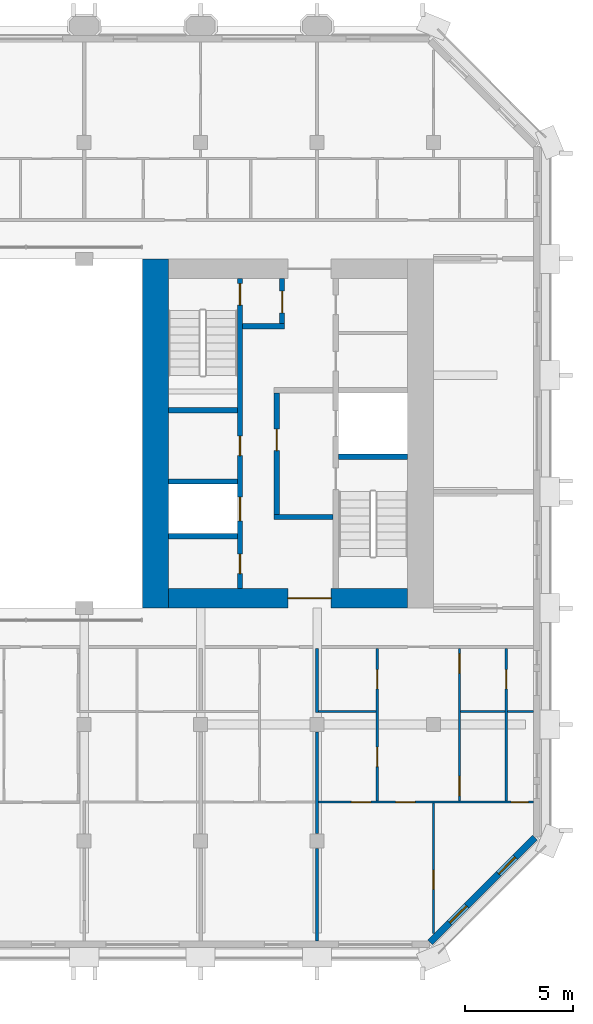
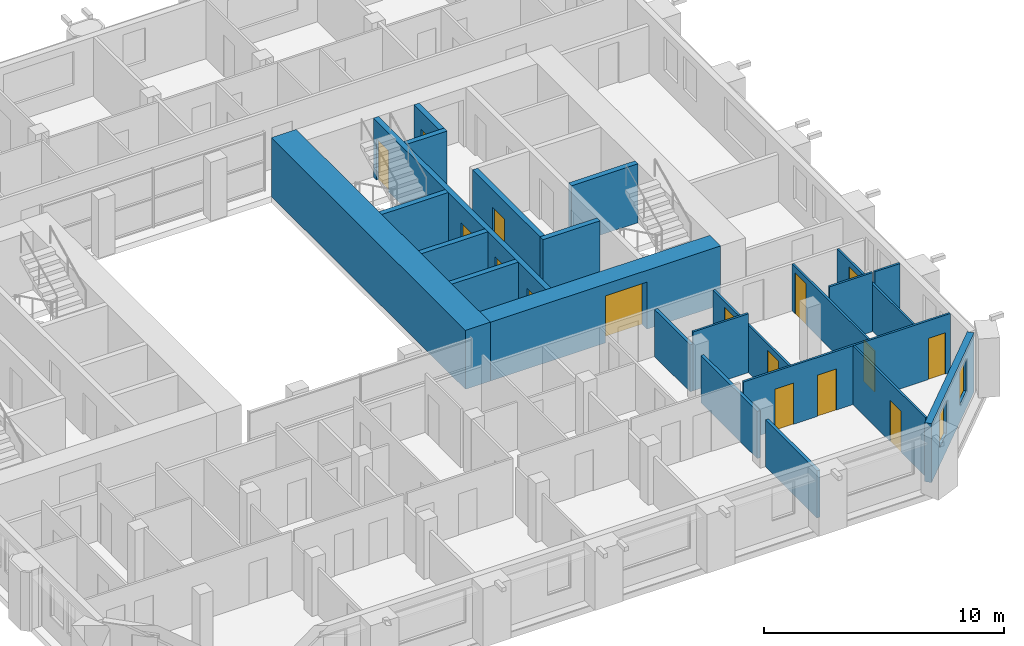
# One storey, part 8 of 14: 23 walls, 16 doors, 2 windows, 18 openings.
"""IFC4 building model written with IfcOpenShell, lengths in metres."""

from ifc_helpers import new_model, si_unit, direction, frame, frame_2d, origin, place, context, subcontext, project, spatial, rectangle, extrude, material, layer, layer_set, type_object, element, fill, save


model = new_model("IFC4")

# Units and contexts
model_context = context("Model", 3, precision=1e-05, world=origin(), true_north=direction((0.0, 1.0)))
body_context = subcontext(model_context, "Body", "Model", "MODEL_VIEW")
ifc_project = project(units=[si_unit("LENGTHUNIT", "METRE"), si_unit("AREAUNIT", "SQUARE_METRE"), si_unit("VOLUMEUNIT", "CUBIC_METRE"), si_unit("PLANEANGLEUNIT", "RADIAN"), si_unit("MASSUNIT", "GRAM", prefix="KILO")], contexts=[model_context])

# Site, building, storey
site_placement = place(None, origin())
site = spatial("IfcSite", under=ifc_project, at=site_placement, CompositionType="ELEMENT")
building_placement = place(site_placement, origin())
building = spatial("IfcBuilding", under=site, at=building_placement, Name="Tabaq Tower and Sports Hall", CompositionType="ELEMENT")
storey_placement = place(building_placement, frame((0.0, 0.0, 275.199951171875)))
storey = spatial("IfcBuildingStorey", under=building, at=storey_placement, Name="L67", CompositionType="ELEMENT", Elevation=275.199951171875)

# Wall
ifc_material_1 = material(Name="Concrete C40/50", Category="concrete")
ifc_layer_1 = layer(ifc_material_1, 1.199951171875)
ifc_layer_set_1 = layer_set([ifc_layer_1], Name="Core wall 1200 Concrete C40/50")
wall_type_1 = type_object("IfcWallType", Name="Core wall 1200 Concrete C40/50", PredefinedType="SOLIDWALL", material=ifc_layer_set_1)
wall_1_placement = place(storey_placement, frame((30.300048828125, 16.199951171875, 0.0), z_axis=(0.0, 0.0, 1.0), x_axis=(0.0, 1.0, 0.0)))
element("IfcWall", 1, at=wall_1_placement, inside=storey, type_object=wall_type_1, Name="Core wall E L67", PredefinedType="SOLIDWALL", context=body_context, shape_type="SweptSolid", body=[
    extrude(rectangle(XDim=16.199951171875, YDim=1.199951171875, at=frame_2d((8.10009765625, 0.0))), origin(), (0.0, 0.0, 1.0), 3.0),
])

# Wall, opening, door
ifc_material_2 = material(Name="Concrete C40/50", Category="concrete")
ifc_layer_2 = layer(ifc_material_2, 0.89990234375)
ifc_layer_set_2 = layer_set([ifc_layer_2], Name="Core wall 900 Concrete C40/50")
wall_type_2 = type_object("IfcWallType", Name="Core wall 900 Concrete C40/50", PredefinedType="SOLIDWALL", material=ifc_layer_set_2)
wall_2_placement = place(storey_placement, frame((42.0, 16.64990234375, 0.0), z_axis=(0.0, 0.0, 1.0), x_axis=(-1.0, 0.0, 0.0)))
wall_2 = element("IfcWall", 2, at=wall_2_placement, inside=storey, type_object=wall_type_2, Name="Core wall E L67", PredefinedType="SOLIDWALL", context=body_context, shape_type="SweptSolid", body=[
    extrude(rectangle(XDim=11.10009765625, YDim=0.89990234375, at=frame_2d((5.550048828125, 0.0))), origin(), (0.0, 0.0, 1.0), 3.0),
])
opening_1_placement = place(wall_2_placement, frame((3.550048828125, 0.0, 0.0)))
opening_1 = element("IfcOpeningElement", 3, at=opening_1_placement, cuts=wall_2, Name="Opening PD-EL67-01", PredefinedType="OPENING", context=body_context, shape_type="SweptSolid", body=[
    extrude(rectangle(XDim=2.0, YDim=2.39990234375, at=frame_2d((1.0, 1.199951171875))), frame((0.0, 0.449951171875, 0.0), z_axis=(0.0, -1.0, 0.0), x_axis=(1.0, 0.0, 0.0)), (0.0, 0.0, 1.0), 0.89990234375),
])
ifc_material_3 = material(Name="Steel fire door", Category="steel")
door_type_1 = type_object("IfcDoorType", Name="Core entrance door 2000", OperationType="DOUBLE_DOOR_SINGLE_SWING", PredefinedType="DOOR", material=ifc_material_3)
door_1_placement = place(opening_1_placement, origin())
door_1 = element("IfcDoor", 4, at=door_1_placement, inside=storey, type_object=door_type_1, Name="Core entrance south E L67", OperationType="DOUBLE_DOOR_SINGLE_SWING", OverallHeight=2.39990234375, OverallWidth=2.0, PredefinedType="DOOR", context=body_context, shape_type="SweptSolid", body=[
    extrude(rectangle(XDim=2.0, YDim=2.39990234375, at=frame_2d((1.0, 1.199951171875))), frame((0.0, 0.02490234375, 0.0), z_axis=(0.0, -1.0, 0.0), x_axis=(1.0, 0.0, 0.0)), (0.0, 0.0, 1.0), 0.050048828125),
])
fill(opening_1, door_1)

ifc_material_4 = material(Name="Gypsum board on steel studs", Category="steel")
ifc_layer_3 = layer(ifc_material_4, 0.10009765625)
ifc_layer_set_3 = layer_set([ifc_layer_3], Name="Partition 100 Gypsum board")
wall_type_3 = type_object("IfcWallType", Name="Partition 100 Gypsum board", PredefinedType="PARTITIONING", material=ifc_layer_set_3)
wall_3_placement = place(storey_placement, frame((43.199951171875, 1.112060546875, 0.0), z_axis=(0.0, 0.0, 1.0), x_axis=(0.0, 1.0, 0.0)))
wall_3 = element("IfcWall", 5, at=wall_3_placement, inside=storey, type_object=wall_type_3, Name="Partition wall L67", PredefinedType="PARTITIONING", context=body_context, shape_type="SweptSolid", body=[
    extrude(rectangle(XDim=6.037841796875, YDim=0.10009765625, at=frame_2d((3.01904296875, 0.0))), origin(), (0.0, 0.0, 1.0), 3.0),
])
opening_2_placement = place(wall_3_placement, frame((2.037841796875, 0.0, 0.0)))
opening_2 = element("IfcOpeningElement", 6, at=opening_2_placement, cuts=wall_3, Name="Opening L67-047", PredefinedType="OPENING", context=body_context, shape_type="SweptSolid", body=[
    extrude(rectangle(XDim=0.89990234375, YDim=2.10009765625, at=frame_2d((0.449951171875, 1.050048828125))), frame((0.0, 0.050048828125, 0.0), z_axis=(0.0, -1.0, 0.0), x_axis=(1.0, 0.0, 0.0)), (0.0, 0.0, 1.0), 0.10009765625),
])
ifc_material_5 = material(Name="Timber leaf in steel frame", Category="steel")
door_type_2 = type_object("IfcDoorType", Name="Internal door 900 left hand", OperationType="SINGLE_SWING_LEFT", PredefinedType="DOOR", material=ifc_material_5)
door_2_placement = place(opening_2_placement, origin())
door_2 = element("IfcDoor", 7, at=door_2_placement, inside=storey, type_object=door_type_2, Name="Internal door L67-047", OperationType="SINGLE_SWING_LEFT", OverallHeight=2.10009765625, OverallWidth=0.89990234375, PredefinedType="DOOR", context=body_context, shape_type="SweptSolid", body=[
    extrude(rectangle(XDim=0.89990234375, YDim=2.10009765625, at=frame_2d((0.449951171875, 1.050048828125))), frame((0.0, 0.02490234375, 0.0), z_axis=(0.0, -1.0, 0.0), x_axis=(1.0, 0.0, 0.0)), (0.0, 0.0, 1.0), 0.050048828125),
])
fill(opening_2, door_2)

# Wall, openings, doors
wall_4_placement = place(storey_placement, frame((47.84912109375, 7.199951171875, 0.0), z_axis=(0.0, 0.0, 1.0), x_axis=(-1.0, 0.0, 0.0)))
wall_4 = element("IfcWall", 8, at=wall_4_placement, inside=storey, type_object=wall_type_3, Name="Partition wall L67", PredefinedType="PARTITIONING", context=body_context, shape_type="SweptSolid", body=[
    extrude(rectangle(XDim=9.97412109375, YDim=0.10009765625, at=frame_2d((4.987060546875, 0.0))), origin(), (0.0, 0.0, 1.0), 3.0),
])
opening_3_placement = place(wall_4_placement, frame((7.554931640625, 0.0, 0.0)))
opening_3 = element("IfcOpeningElement", 9, at=opening_3_placement, cuts=wall_4, Name="Opening L67-048", PredefinedType="OPENING", context=body_context, shape_type="SweptSolid", body=[
    extrude(rectangle(XDim=0.89990234375, YDim=2.10009765625, at=frame_2d((0.449951171875, 1.050048828125))), frame((0.0, 0.050048828125, 0.0), z_axis=(0.0, -1.0, 0.0), x_axis=(1.0, 0.0, 0.0)), (0.0, 0.0, 1.0), 0.10009765625),
])
opening_4_placement = place(wall_4_placement, frame((5.501953125, 0.0, 0.0)))
opening_4 = element("IfcOpeningElement", 10, at=opening_4_placement, cuts=wall_4, Name="Opening L67-056", PredefinedType="OPENING", context=body_context, shape_type="SweptSolid", body=[
    extrude(rectangle(XDim=0.89990234375, YDim=2.10009765625, at=frame_2d((0.449951171875, 1.050048828125))), frame((0.0, 0.050048828125, 0.0), z_axis=(0.0, -1.0, 0.0), x_axis=(1.0, 0.0, 0.0)), (0.0, 0.0, 1.0), 0.10009765625),
])
opening_5_placement = place(wall_4_placement, frame((0.25, 0.0, 0.0)))
opening_5 = element("IfcOpeningElement", 11, at=opening_5_placement, cuts=wall_4, Name="Opening L67-066", PredefinedType="OPENING", context=body_context, shape_type="SweptSolid", body=[
    extrude(rectangle(XDim=0.800048828125, YDim=2.10009765625, at=frame_2d((0.39990234375, 1.050048828125))), frame((0.0, 0.050048828125, 0.0), z_axis=(0.0, -1.0, 0.0), x_axis=(1.0, 0.0, 0.0)), (0.0, 0.0, 1.0), 0.10009765625),
])
ifc_material_6 = material(Name="Timber leaf in steel frame", Category="steel")
door_type_3 = type_object("IfcDoorType", Name="Internal door 800 left hand", OperationType="SINGLE_SWING_LEFT", PredefinedType="DOOR", material=ifc_material_6)
door_3_placement = place(opening_5_placement, origin())
door_3 = element("IfcDoor", 12, at=door_3_placement, inside=storey, type_object=door_type_3, Name="Internal door L67-066", OperationType="SINGLE_SWING_LEFT", OverallHeight=2.10009765625, OverallWidth=0.800048828125, PredefinedType="DOOR", context=body_context, shape_type="SweptSolid", body=[
    extrude(rectangle(XDim=0.800048828125, YDim=2.10009765625, at=frame_2d((0.39990234375, 1.050048828125))), frame((0.0, 0.02490234375, 0.0), z_axis=(0.0, -1.0, 0.0), x_axis=(1.0, 0.0, 0.0)), (0.0, 0.0, 1.0), 0.050048828125),
])
fill(opening_5, door_3)
door_4_placement = place(opening_4_placement, origin())
door_4 = element("IfcDoor", 13, at=door_4_placement, inside=storey, type_object=door_type_2, Name="Internal door L67-056", OperationType="SINGLE_SWING_LEFT", OverallHeight=2.10009765625, OverallWidth=0.89990234375, PredefinedType="DOOR", context=body_context, shape_type="SweptSolid", body=[
    extrude(rectangle(XDim=0.89990234375, YDim=2.10009765625, at=frame_2d((0.449951171875, 1.050048828125))), frame((0.0, 0.02490234375, 0.0), z_axis=(0.0, -1.0, 0.0), x_axis=(1.0, 0.0, 0.0)), (0.0, 0.0, 1.0), 0.050048828125),
])
fill(opening_4, door_4)
ifc_material_7 = material(Name="Timber leaf in steel frame", Category="steel")
door_type_4 = type_object("IfcDoorType", Name="Internal door 900 right hand", OperationType="SINGLE_SWING_RIGHT", PredefinedType="DOOR", material=ifc_material_7)
door_5_placement = place(opening_3_placement, origin())
door_5 = element("IfcDoor", 14, at=door_5_placement, inside=storey, type_object=door_type_4, Name="Internal door L67-048", OperationType="SINGLE_SWING_RIGHT", OverallHeight=2.10009765625, OverallWidth=0.89990234375, PredefinedType="DOOR", context=body_context, shape_type="SweptSolid", body=[
    extrude(rectangle(XDim=0.89990234375, YDim=2.10009765625, at=frame_2d((0.449951171875, 1.050048828125))), frame((0.0, 0.02490234375, 0.0), z_axis=(0.0, -1.0, 0.0), x_axis=(1.0, 0.0, 0.0)), (0.0, 0.0, 1.0), 0.050048828125),
])
fill(opening_3, door_5)

# Wall
wall_5_placement = place(storey_placement, frame((40.5439453125, 11.39990234375, 0.0), z_axis=(0.0, 0.0, 1.0), x_axis=(-1.0, 0.0, 0.0)))
element("IfcWall", 15, at=wall_5_placement, inside=storey, type_object=wall_type_3, Name="Partition wall L67", PredefinedType="PARTITIONING", context=body_context, shape_type="SweptSolid", body=[
    extrude(rectangle(XDim=2.6689453125, YDim=0.10009765625, at=frame_2d((1.33447265625, 0.0))), origin(), (0.0, 0.0, 1.0), 3.0),
])

# Wall, openings, doors
wall_6_placement = place(storey_placement, frame((40.593994140625, 7.25, 0.0), z_axis=(0.0, 0.0, 1.0), x_axis=(0.0, 1.0, 0.0)))
wall_6 = element("IfcWall", 16, at=wall_6_placement, inside=storey, type_object=wall_type_3, Name="Partition wall L67", PredefinedType="PARTITIONING", context=body_context, shape_type="SweptSolid", body=[
    extrude(rectangle(XDim=7.074951171875, YDim=0.10009765625, at=frame_2d((3.53759765625, 0.0))), origin(), (0.0, 0.0, 1.0), 2.400146484375),
])
opening_6_placement = place(wall_6_placement, frame((5.199951171875, 0.0, 0.0)))
opening_6 = element("IfcOpeningElement", 17, at=opening_6_placement, cuts=wall_6, Name="Opening L67-020", PredefinedType="OPENING", context=body_context, shape_type="SweptSolid", body=[
    extrude(rectangle(XDim=0.89990234375, YDim=2.10009765625, at=frame_2d((0.449951171875, 1.050048828125))), frame((0.0, 0.050048828125, 0.0), z_axis=(0.0, -1.0, 0.0), x_axis=(1.0, 0.0, 0.0)), (0.0, 0.0, 1.0), 0.10009765625),
])
opening_7_placement = place(wall_6_placement, frame((1.60009765625, 0.0, 0.0)))
opening_7 = element("IfcOpeningElement", 18, at=opening_7_placement, cuts=wall_6, Name="Opening L67-049", PredefinedType="OPENING", context=body_context, shape_type="SweptSolid", body=[
    extrude(rectangle(XDim=0.89990234375, YDim=2.10009765625, at=frame_2d((0.449951171875, 1.050048828125))), frame((0.0, 0.050048828125, 0.0), z_axis=(0.0, -1.0, 0.0), x_axis=(1.0, 0.0, 0.0)), (0.0, 0.0, 1.0), 0.10009765625),
])
door_6_placement = place(opening_6_placement, origin())
door_6 = element("IfcDoor", 19, at=door_6_placement, inside=storey, type_object=door_type_2, Name="Internal door L67-020", OperationType="SINGLE_SWING_LEFT", OverallHeight=2.10009765625, OverallWidth=0.89990234375, PredefinedType="DOOR", context=body_context, shape_type="SweptSolid", body=[
    extrude(rectangle(XDim=0.89990234375, YDim=2.10009765625, at=frame_2d((0.449951171875, 1.050048828125))), frame((0.0, 0.02490234375, 0.0), z_axis=(0.0, -1.0, 0.0), x_axis=(1.0, 0.0, 0.0)), (0.0, 0.0, 1.0), 0.050048828125),
])
fill(opening_6, door_6)
door_7_placement = place(opening_7_placement, origin())
door_7 = element("IfcDoor", 20, at=door_7_placement, inside=storey, type_object=door_type_4, Name="Internal door L67-049", OperationType="SINGLE_SWING_RIGHT", OverallHeight=2.10009765625, OverallWidth=0.89990234375, PredefinedType="DOOR", context=body_context, shape_type="SweptSolid", body=[
    extrude(rectangle(XDim=0.89990234375, YDim=2.10009765625, at=frame_2d((0.449951171875, 1.050048828125))), frame((0.0, 0.02490234375, 0.0), z_axis=(0.0, -1.0, 0.0), x_axis=(1.0, 0.0, 0.0)), (0.0, 0.0, 1.0), 0.050048828125),
])
fill(opening_7, door_7)

wall_7_placement = place(storey_placement, frame((44.405029296875, 7.25, 0.0), z_axis=(0.0, 0.0, 1.0), x_axis=(0.0, 1.0, 0.0)))
wall_7 = element("IfcWall", 21, at=wall_7_placement, inside=storey, type_object=wall_type_3, Name="Partition wall L67", PredefinedType="PARTITIONING", context=body_context, shape_type="SweptSolid", body=[
    extrude(rectangle(XDim=7.074951171875, YDim=0.10009765625, at=frame_2d((3.53759765625, 0.0))), origin(), (0.0, 0.0, 1.0), 2.400146484375),
])
opening_8_placement = place(wall_7_placement, frame((0.25, 0.0, 0.0)))
opening_8 = element("IfcOpeningElement", 22, at=opening_8_placement, cuts=wall_7, Name="Opening L67-021", PredefinedType="OPENING", context=body_context, shape_type="SweptSolid", body=[
    extrude(rectangle(XDim=0.89990234375, YDim=2.10009765625, at=frame_2d((0.449951171875, 1.050048828125))), frame((0.0, 0.050048828125, 0.0), z_axis=(0.0, -1.0, 0.0), x_axis=(1.0, 0.0, 0.0)), (0.0, 0.0, 1.0), 0.10009765625),
])
opening_9_placement = place(wall_7_placement, frame((5.925048828125, 0.0, 0.0)))
opening_9 = element("IfcOpeningElement", 23, at=opening_9_placement, cuts=wall_7, Name="Opening L67-022", PredefinedType="OPENING", context=body_context, shape_type="SweptSolid", body=[
    extrude(rectangle(XDim=0.89990234375, YDim=2.10009765625, at=frame_2d((0.449951171875, 1.050048828125))), frame((0.0, 0.050048828125, 0.0), z_axis=(0.0, -1.0, 0.0), x_axis=(1.0, 0.0, 0.0)), (0.0, 0.0, 1.0), 0.10009765625),
])
door_8_placement = place(opening_8_placement, origin())
door_8 = element("IfcDoor", 24, at=door_8_placement, inside=storey, type_object=door_type_4, Name="Internal door L67-021", OperationType="SINGLE_SWING_RIGHT", OverallHeight=2.10009765625, OverallWidth=0.89990234375, PredefinedType="DOOR", context=body_context, shape_type="SweptSolid", body=[
    extrude(rectangle(XDim=0.89990234375, YDim=2.10009765625, at=frame_2d((0.449951171875, 1.050048828125))), frame((0.0, 0.02490234375, 0.0), z_axis=(0.0, -1.0, 0.0), x_axis=(1.0, 0.0, 0.0)), (0.0, 0.0, 1.0), 0.050048828125),
])
fill(opening_8, door_8)
door_9_placement = place(opening_9_placement, origin())
door_9 = element("IfcDoor", 25, at=door_9_placement, inside=storey, type_object=door_type_4, Name="Internal door L67-022", OperationType="SINGLE_SWING_RIGHT", OverallHeight=2.10009765625, OverallWidth=0.89990234375, PredefinedType="DOOR", context=body_context, shape_type="SweptSolid", body=[
    extrude(rectangle(XDim=0.89990234375, YDim=2.10009765625, at=frame_2d((0.449951171875, 1.050048828125))), frame((0.0, 0.02490234375, 0.0), z_axis=(0.0, -1.0, 0.0), x_axis=(1.0, 0.0, 0.0)), (0.0, 0.0, 1.0), 0.050048828125),
])
fill(opening_9, door_9)

# Wall
wall_8_placement = place(storey_placement, frame((46.528076171875, 11.39990234375, 0.0), z_axis=(0.0, 0.0, 1.0), x_axis=(-1.0, 0.0, 0.0)))
element("IfcWall", 26, at=wall_8_placement, inside=storey, type_object=wall_type_3, Name="Partition wall L67", PredefinedType="PARTITIONING", context=body_context, shape_type="SweptSolid", body=[
    extrude(rectangle(XDim=2.072998046875, YDim=0.10009765625, at=frame_2d((1.03662109375, 0.0))), origin(), (0.0, 0.0, 1.0), 3.0),
])

# Wall, opening, door
wall_9_placement = place(storey_placement, frame((46.577880859375, 7.25, 0.0), z_axis=(0.0, 0.0, 1.0), x_axis=(0.0, 1.0, 0.0)))
wall_9 = element("IfcWall", 27, at=wall_9_placement, inside=storey, type_object=wall_type_3, Name="Partition wall L67", PredefinedType="PARTITIONING", context=body_context, shape_type="SweptSolid", body=[
    extrude(rectangle(XDim=7.074951171875, YDim=0.10009765625, at=frame_2d((3.53759765625, 0.0))), origin(), (0.0, 0.0, 1.0), 2.400146484375),
])
opening_10_placement = place(wall_9_placement, frame((5.199951171875, 0.0, 0.0)))
opening_10 = element("IfcOpeningElement", 28, at=opening_10_placement, cuts=wall_9, Name="Opening L67-068", PredefinedType="OPENING", context=body_context, shape_type="SweptSolid", body=[
    extrude(rectangle(XDim=0.89990234375, YDim=2.10009765625, at=frame_2d((0.449951171875, 1.050048828125))), frame((0.0, 0.050048828125, 0.0), z_axis=(0.0, -1.0, 0.0), x_axis=(1.0, 0.0, 0.0)), (0.0, 0.0, 1.0), 0.10009765625),
])
door_10_placement = place(opening_10_placement, origin())
door_10 = element("IfcDoor", 29, at=door_10_placement, inside=storey, type_object=door_type_4, Name="Internal door L67-068", OperationType="SINGLE_SWING_RIGHT", OverallHeight=2.10009765625, OverallWidth=0.89990234375, PredefinedType="DOOR", context=body_context, shape_type="SweptSolid", body=[
    extrude(rectangle(XDim=0.89990234375, YDim=2.10009765625, at=frame_2d((0.449951171875, 1.050048828125))), frame((0.0, 0.02490234375, 0.0), z_axis=(0.0, -1.0, 0.0), x_axis=(1.0, 0.0, 0.0)), (0.0, 0.0, 1.0), 0.050048828125),
])
fill(opening_10, door_10)

# Walls
wall_10_placement = place(storey_placement, frame((47.84912109375, 11.39990234375, 0.0), z_axis=(0.0, 0.0, 1.0), x_axis=(-1.0, 0.0, 0.0)))
element("IfcWall", 30, at=wall_10_placement, inside=storey, type_object=wall_type_3, Name="Partition wall L67", PredefinedType="PARTITIONING", context=body_context, shape_type="SweptSolid", body=[
    extrude(rectangle(XDim=1.22119140625, YDim=0.10009765625, at=frame_2d((0.610595703125, 0.0))), origin(), (0.0, 0.0, 1.0), 3.0),
])
ifc_material_8 = material(Name="Blockwork", Category="masonry")
ifc_layer_4 = layer(ifc_material_8, 0.14990234375)
ifc_layer_set_4 = layer_set([ifc_layer_4], Name="Separating wall 150 Blockwork")
wall_type_4 = type_object("IfcWallType", Name="Separating wall 150 Blockwork", PredefinedType="PARTITIONING", material=ifc_layer_set_4)
wall_11_placement = place(storey_placement, frame((37.800048828125, 0.7509765625, 0.0), z_axis=(0.0, 0.0, 1.0), x_axis=(0.0, 1.0, 0.0)))
element("IfcWall", 31, at=wall_11_placement, inside=storey, type_object=wall_type_4, Name="Separating wall L67", PredefinedType="PARTITIONING", context=body_context, shape_type="SweptSolid", body=[
    extrude(rectangle(XDim=4.303955078125, YDim=0.14990234375, at=frame_2d((2.15185546875, 0.0))), origin(), (0.0, 0.0, 1.0), 2.400146484375),
])
wall_12_placement = place(storey_placement, frame((37.800048828125, 5.7451171875, 0.0), z_axis=(0.0, 0.0, 1.0), x_axis=(0.0, 1.0, 0.0)))
element("IfcWall", 32, at=wall_12_placement, inside=storey, type_object=wall_type_4, Name="Separating wall L67", PredefinedType="PARTITIONING", context=body_context, shape_type="SweptSolid", body=[
    extrude(rectangle(XDim=4.7099609375, YDim=0.14990234375, at=frame_2d((2.35498046875, 0.0))), origin(), (0.0, 0.0, 1.0), 2.400146484375),
])
wall_13_placement = place(storey_placement, frame((37.800048828125, 11.35009765625, 0.0), z_axis=(0.0, 0.0, 1.0), x_axis=(0.0, 1.0, 0.0)))
element("IfcWall", 33, at=wall_13_placement, inside=storey, type_object=wall_type_4, Name="Separating wall L67", PredefinedType="PARTITIONING", context=body_context, shape_type="SweptSolid", body=[
    extrude(rectangle(XDim=2.974853515625, YDim=0.14990234375, at=frame_2d((1.4873046875, 0.0))), origin(), (0.0, 0.0, 1.0), 2.400146484375),
])

# Wall, openings, doors
ifc_material_9 = material(Name="Concrete C40/50", Category="concrete")
ifc_layer_5 = layer(ifc_material_9, 0.25)
ifc_layer_set_5 = layer_set([ifc_layer_5], Name="Shaft and stair wall 250 Concrete C40/50")
wall_type_5 = type_object("IfcWallType", Name="Shaft and stair wall 250 Concrete C40/50", PredefinedType="SOLIDWALL", material=ifc_layer_set_5)
wall_14_placement = place(storey_placement, frame((34.22509765625, 17.10009765625, 0.0), z_axis=(0.0, 0.0, 1.0), x_axis=(0.0, 1.0, 0.0)))
wall_14 = element("IfcWall", 34, at=wall_14_placement, inside=storey, type_object=wall_type_5, Name="Shaft wall E L67", PredefinedType="SOLIDWALL", context=body_context, shape_type="SweptSolid", body=[
    extrude(rectangle(XDim=14.39990234375, YDim=0.25, at=frame_2d((7.199951171875, 0.0))), origin(), (0.0, 0.0, 1.0), 3.0),
])
opening_11_placement = place(wall_14_placement, frame((13.14990234375, 0.0, 0.0)))
opening_11 = element("IfcOpeningElement", 35, at=opening_11_placement, cuts=wall_14, Name="Opening SD-EL67-05", PredefinedType="OPENING", context=body_context, shape_type="SweptSolid", body=[
    extrude(rectangle(XDim=1.0, YDim=2.10009765625, at=frame_2d((0.5, 1.050048828125))), frame((0.0, 0.125, 0.0), z_axis=(0.0, -1.0, 0.0), x_axis=(1.0, 0.0, 0.0)), (0.0, 0.0, 1.0), 0.25),
])
opening_12_placement = place(wall_14_placement, frame((3.14990234375, 0.0, 0.0)))
opening_12 = element("IfcOpeningElement", 36, at=opening_12_placement, cuts=wall_14, Name="Opening LD-HR2-L67", PredefinedType="OPENING", context=body_context, shape_type="SweptSolid", body=[
    extrude(rectangle(XDim=1.10009765625, YDim=2.10009765625, at=frame_2d((0.550048828125, 1.050048828125))), frame((0.0, 0.125, 0.0), z_axis=(0.0, -1.0, 0.0), x_axis=(1.0, 0.0, 0.0)), (0.0, 0.0, 1.0), 0.25),
])
opening_13_placement = place(wall_14_placement, frame((0.699951171875, 0.0, 0.0)))
opening_13 = element("IfcOpeningElement", 37, at=opening_13_placement, cuts=wall_14, Name="Opening RD-EL67-11", PredefinedType="OPENING", context=body_context, shape_type="SweptSolid", body=[
    extrude(rectangle(XDim=0.89990234375, YDim=2.10009765625, at=frame_2d((0.449951171875, 1.050048828125))), frame((0.0, 0.125, 0.0), z_axis=(0.0, -1.0, 0.0), x_axis=(1.0, 0.0, 0.0)), (0.0, 0.0, 1.0), 0.25),
])
opening_14_placement = place(wall_14_placement, frame((6.175048828125, 0.0, 0.0)))
opening_14 = element("IfcOpeningElement", 38, at=opening_14_placement, cuts=wall_14, Name="Opening RD-EL67-12", PredefinedType="OPENING", context=body_context, shape_type="SweptSolid", body=[
    extrude(rectangle(XDim=0.89990234375, YDim=2.10009765625, at=frame_2d((0.449951171875, 1.050048828125))), frame((0.0, 0.125, 0.0), z_axis=(0.0, -1.0, 0.0), x_axis=(1.0, 0.0, 0.0)), (0.0, 0.0, 1.0), 0.25),
])
ifc_material_10 = material(Name="Steel fire door", Category="steel")
door_type_5 = type_object("IfcDoorType", Name="Core room door 900", OperationType="SINGLE_SWING_LEFT", PredefinedType="DOOR", material=ifc_material_10)
door_11_placement = place(opening_13_placement, origin())
door_11 = element("IfcDoor", 39, at=door_11_placement, inside=storey, type_object=door_type_5, Name="Door Electrical Riser Room E L67", OperationType="SINGLE_SWING_LEFT", OverallHeight=2.10009765625, OverallWidth=0.89990234375, PredefinedType="DOOR", context=body_context, shape_type="SweptSolid", body=[
    extrude(rectangle(XDim=0.89990234375, YDim=2.10009765625, at=frame_2d((0.449951171875, 1.050048828125))), frame((0.0, 0.02490234375, 0.0), z_axis=(0.0, -1.0, 0.0), x_axis=(1.0, 0.0, 0.0)), (0.0, 0.0, 1.0), 0.050048828125),
])
fill(opening_13, door_11)
door_12_placement = place(opening_14_placement, origin())
door_12 = element("IfcDoor", 40, at=door_12_placement, inside=storey, type_object=door_type_5, Name="Door Riser Room E L67", OperationType="SINGLE_SWING_LEFT", OverallHeight=2.10009765625, OverallWidth=0.89990234375, PredefinedType="DOOR", context=body_context, shape_type="SweptSolid", body=[
    extrude(rectangle(XDim=0.89990234375, YDim=2.10009765625, at=frame_2d((0.449951171875, 1.050048828125))), frame((0.0, 0.02490234375, 0.0), z_axis=(0.0, -1.0, 0.0), x_axis=(1.0, 0.0, 0.0)), (0.0, 0.0, 1.0), 0.050048828125),
])
fill(opening_14, door_12)
ifc_material_11 = material(Name="Stainless steel", Category="steel")
door_type_6 = type_object("IfcDoorType", Name="Lift landing door 1100", OperationType="DOUBLE_DOOR_SLIDING", PredefinedType="DOOR", material=ifc_material_11)
door_13_placement = place(opening_12_placement, origin())
door_13 = element("IfcDoor", 41, at=door_13_placement, inside=storey, type_object=door_type_6, Name="Lift landing door HR2 E L67", OperationType="DOUBLE_DOOR_SLIDING", OverallHeight=2.10009765625, OverallWidth=1.10009765625, PredefinedType="DOOR", context=body_context, shape_type="SweptSolid", body=[
    extrude(rectangle(XDim=1.10009765625, YDim=2.10009765625, at=frame_2d((0.550048828125, 1.050048828125))), frame((0.0, 0.02490234375, 0.0), z_axis=(0.0, -1.0, 0.0), x_axis=(1.0, 0.0, 0.0)), (0.0, 0.0, 1.0), 0.050048828125),
])
fill(opening_12, door_13)
ifc_material_12 = material(Name="Steel fire door", Category="steel")
door_type_7 = type_object("IfcDoorType", Name="Stair door 1000", OperationType="SINGLE_SWING_LEFT", PredefinedType="DOOR", material=ifc_material_12)
door_14_placement = place(opening_11_placement, origin())
door_14 = element("IfcDoor", 42, at=door_14_placement, inside=storey, type_object=door_type_7, Name="Stair door ST4 E L67", OperationType="SINGLE_SWING_LEFT", OverallHeight=2.10009765625, OverallWidth=1.0, PredefinedType="DOOR", context=body_context, shape_type="SweptSolid", body=[
    extrude(rectangle(XDim=1.0, YDim=2.10009765625, at=frame_2d((0.5, 1.050048828125))), frame((0.0, 0.02490234375, 0.0), z_axis=(0.0, -1.0, 0.0), x_axis=(1.0, 0.0, 0.0)), (0.0, 0.0, 1.0), 0.050048828125),
])
fill(opening_11, door_14)

# Walls
wall_15_placement = place(storey_placement, frame((38.800048828125, 23.22509765625, 0.0), z_axis=(0.0, 0.0, 1.0), x_axis=(1.0, 0.0, 0.0)))
element("IfcWall", 43, at=wall_15_placement, inside=storey, type_object=wall_type_5, Name="Stair enclosure wall E L67", PredefinedType="SOLIDWALL", context=body_context, shape_type="SweptSolid", body=[
    extrude(rectangle(XDim=3.199951171875, YDim=0.25, at=frame_2d((1.60009765625, 0.0))), origin(), (0.0, 0.0, 1.0), 3.0),
])
for number, where, z_axis, x_axis, name in (
    (44, (30.89990234375, 25.375, 0.0), (0.0, 0.0, 1.0), (1.0, 0.0, 0.0), "Stair enclosure wall E L67"),
    (45, (30.89990234375, 22.074951171875, 0.0), (0.0, 0.0, 1.0), (1.0, 0.0, 0.0), "Shaft wall E L67"),
):
    element("IfcWall", number, at=place(storey_placement, frame(where, z_axis=z_axis, x_axis=x_axis)), inside=storey, type_object=wall_type_5, Name=name, PredefinedType="SOLIDWALL", context=body_context, shape_type="SweptSolid", body=[
        extrude(rectangle(XDim=3.2001953125, YDim=0.25, at=frame_2d((1.60009765625, 0.0))), origin(), (0.0, 0.0, 1.0), 3.0),
    ])
wall_16_placement = place(storey_placement, frame((35.800048828125, 20.425048828125, 0.0), z_axis=(0.0, 0.0, 1.0), x_axis=(1.0, 0.0, 0.0)))
element("IfcWall", 46, at=wall_16_placement, inside=storey, type_object=wall_type_5, Name="Fire-fighting lobby wall E L67", PredefinedType="SOLIDWALL", context=body_context, shape_type="SweptSolid", body=[
    extrude(rectangle(XDim=2.75, YDim=0.25, at=frame_2d((1.375, 0.0))), origin(), (0.0, 0.0, 1.0), 3.0),
])

# Wall, opening, door
wall_17_placement = place(storey_placement, frame((36.175048828125, 29.39990234375, 0.0), z_axis=(0.0, 0.0, 1.0), x_axis=(0.0, 1.0, 0.0)))
wall_17 = element("IfcWall", 47, at=wall_17_placement, inside=storey, type_object=wall_type_5, Name="Fire-fighting lobby wall E L67", PredefinedType="SOLIDWALL", context=body_context, shape_type="SweptSolid", body=[
    extrude(rectangle(XDim=2.10009765625, YDim=0.25, at=frame_2d((1.050048828125, 0.0))), origin(), (0.0, 0.0, 1.0), 3.0),
])
opening_15_placement = place(wall_17_placement, frame((0.5, 0.0, 0.0)))
opening_15 = element("IfcOpeningElement", 48, at=opening_15_placement, cuts=wall_17, Name="Opening FD-EL67-06", PredefinedType="OPENING", context=body_context, shape_type="SweptSolid", body=[
    extrude(rectangle(XDim=1.0, YDim=2.10009765625, at=frame_2d((0.5, 1.050048828125))), frame((0.0, 0.125, 0.0), z_axis=(0.0, -1.0, 0.0), x_axis=(1.0, 0.0, 0.0)), (0.0, 0.0, 1.0), 0.25),
])
ifc_material_13 = material(Name="Steel fire door", Category="steel")
door_type_8 = type_object("IfcDoorType", Name="Fire-fighting lobby door 1000", OperationType="SINGLE_SWING_LEFT", PredefinedType="DOOR", material=ifc_material_13)
door_15_placement = place(opening_15_placement, origin())
door_15 = element("IfcDoor", 49, at=door_15_placement, inside=storey, type_object=door_type_8, Name="Stair lobby door E L67", OperationType="SINGLE_SWING_LEFT", OverallHeight=2.10009765625, OverallWidth=1.0, PredefinedType="DOOR", context=body_context, shape_type="SweptSolid", body=[
    extrude(rectangle(XDim=1.0, YDim=2.10009765625, at=frame_2d((0.5, 1.050048828125))), frame((0.0, 0.02490234375, 0.0), z_axis=(0.0, -1.0, 0.0), x_axis=(1.0, 0.0, 0.0)), (0.0, 0.0, 1.0), 0.050048828125),
])
fill(opening_15, door_15)

# Wall
wall_18_placement = place(storey_placement, frame((34.35009765625, 29.27490234375, 0.0), z_axis=(0.0, 0.0, 1.0), x_axis=(1.0, 0.0, 0.0)))
element("IfcWall", 50, at=wall_18_placement, inside=storey, type_object=wall_type_5, Name="Fire-fighting lobby wall E L67", PredefinedType="SOLIDWALL", context=body_context, shape_type="SweptSolid", body=[
    extrude(rectangle(XDim=1.949951171875, YDim=0.25, at=frame_2d((0.97509765625, 0.0))), origin(), (0.0, 0.0, 1.0), 3.0),
])

# Wall, opening, door
wall_19_placement = place(storey_placement, frame((35.925048828125, 20.550048828125, 0.0), z_axis=(0.0, 0.0, 1.0), x_axis=(0.0, 1.0, 0.0)))
wall_19 = element("IfcWall", 51, at=wall_19_placement, inside=storey, type_object=wall_type_5, Name="Fire-fighting lobby wall E L67", PredefinedType="SOLIDWALL", context=body_context, shape_type="SweptSolid", body=[
    extrude(rectangle(XDim=5.625, YDim=0.25, at=frame_2d((2.8125, 0.0))), origin(), (0.0, 0.0, 1.0), 3.0),
])
opening_16_placement = place(wall_19_placement, frame((2.949951171875, 0.0, 0.0)))
opening_16 = element("IfcOpeningElement", 52, at=opening_16_placement, cuts=wall_19, Name="Opening FD-EL67-04", PredefinedType="OPENING", context=body_context, shape_type="SweptSolid", body=[
    extrude(rectangle(XDim=1.0, YDim=2.10009765625, at=frame_2d((0.5, 1.050048828125))), frame((0.0, 0.125, 0.0), z_axis=(0.0, -1.0, 0.0), x_axis=(1.0, 0.0, 0.0)), (0.0, 0.0, 1.0), 0.25),
])
door_16_placement = place(opening_16_placement, origin())
door_16 = element("IfcDoor", 53, at=door_16_placement, inside=storey, type_object=door_type_8, Name="Fire-fighting lobby door E L67", OperationType="SINGLE_SWING_LEFT", OverallHeight=2.10009765625, OverallWidth=1.0, PredefinedType="DOOR", context=body_context, shape_type="SweptSolid", body=[
    extrude(rectangle(XDim=1.0, YDim=2.10009765625, at=frame_2d((0.5, 1.050048828125))), frame((0.0, 0.02490234375, 0.0), z_axis=(0.0, -1.0, 0.0), x_axis=(1.0, 0.0, 0.0)), (0.0, 0.0, 1.0), 0.050048828125),
])
fill(opening_16, door_16)

# Wall
wall_20_placement = place(storey_placement, frame((30.89990234375, 19.52490234375, 0.0), z_axis=(0.0, 0.0, 1.0), x_axis=(1.0, 0.0, 0.0)))
element("IfcWall", 54, at=wall_20_placement, inside=storey, type_object=wall_type_5, Name="Shaft wall E L67", PredefinedType="SOLIDWALL", context=body_context, shape_type="SweptSolid", body=[
    extrude(rectangle(XDim=3.2001953125, YDim=0.25, at=frame_2d((1.60009765625, 0.0))), origin(), (0.0, 0.0, 1.0), 3.0),
])

# Wall, openings, windows
ifc_material_14 = material(Name="White precast concrete C60/75", Category="concrete")
ifc_layer_6 = layer(ifc_material_14, 0.300048828125)
ifc_layer_set_6 = layer_set([ifc_layer_6], Name="White precast concrete C60/75 external wall 300")
wall_type_6 = type_object("IfcWallType", Name="White precast concrete C60/75 external wall 300", PredefinedType="SOLIDWALL", material=ifc_layer_set_6)
wall_21_placement = place(storey_placement, frame((43.050537109375, 0.698974609375, 0.0), z_axis=(0.0, 0.0, 1.0), x_axis=(0.707106781187, 0.707106781187, 0.0)))
wall_21 = element("IfcWall", 55, at=wall_21_placement, inside=storey, type_object=wall_type_6, Name="External Wall L67 SE", PredefinedType="SOLIDWALL", context=body_context, shape_type="SweptSolid", body=[
    extrude(rectangle(XDim=6.85986328125, YDim=0.300048828125, at=frame_2d((3.429931640625, 0.0))), origin(), (0.0, 0.0, 1.0), 3.0),
])
opening_17_placement = place(wall_21_placement, frame((1.27978515625, 0.0, 0.89990234375)))
opening_17 = element("IfcOpeningElement", 56, at=opening_17_placement, cuts=wall_21, Name="Opening W1B", PredefinedType="OPENING", context=body_context, shape_type="SweptSolid", body=[
    extrude(rectangle(XDim=1.10009765625, YDim=1.699951171875, at=frame_2d((0.550048828125, 0.85009765625))), frame((0.0, 0.16015625, 0.0), z_axis=(0.0, -1.0, 0.0), x_axis=(1.0, 0.0, 0.0)), (0.0, 0.0, 1.0), 0.320068359375),
])
opening_18_placement = place(wall_21_placement, frame((4.479736328125, 0.0, 0.89990234375)))
opening_18 = element("IfcOpeningElement", 57, at=opening_18_placement, cuts=wall_21, Name="Opening W1B", PredefinedType="OPENING", context=body_context, shape_type="SweptSolid", body=[
    extrude(rectangle(XDim=1.10009765625, YDim=1.699951171875, at=frame_2d((0.550048828125, 0.85009765625))), frame((0.0, 0.16015625, 0.0), z_axis=(0.0, -1.0, 0.0), x_axis=(1.0, 0.0, 0.0)), (0.0, 0.0, 1.0), 0.320068359375),
])
ifc_material_15 = material(Name="Aluminium framed clear glazing", Category="aluminium")
window_type = type_object("IfcWindowType", Name="Window W1B", PartitioningType="SINGLE_PANEL", PredefinedType="WINDOW", material=ifc_material_15)
window_1_placement = place(opening_17_placement, origin())
window_1 = element("IfcWindow", 58, at=window_1_placement, inside=storey, type_object=window_type, Name="Window W1B L67", OverallHeight=1.699951171875, OverallWidth=1.10009765625, PartitioningType="SINGLE_PANEL", PredefinedType="WINDOW", context=body_context, shape_type="SweptSolid", body=[
    extrude(rectangle(XDim=1.10009765625, YDim=1.699951171875, at=frame_2d((0.550048828125, 0.85009765625))), frame((0.0, 0.030029296875, 0.0), z_axis=(0.0, -1.0, 0.0), x_axis=(1.0, 0.0, 0.0)), (0.0, 0.0, 1.0), 0.06005859375),
])
fill(opening_17, window_1)
window_2_placement = place(opening_18_placement, origin())
window_2 = element("IfcWindow", 59, at=window_2_placement, inside=storey, type_object=window_type, Name="Window W1B L67", OverallHeight=1.699951171875, OverallWidth=1.10009765625, PartitioningType="SINGLE_PANEL", PredefinedType="WINDOW", context=body_context, shape_type="SweptSolid", body=[
    extrude(rectangle(XDim=1.10009765625, YDim=1.699951171875, at=frame_2d((0.550048828125, 0.85009765625))), frame((0.0, 0.030029296875, 0.0), z_axis=(0.0, -1.0, 0.0), x_axis=(1.0, 0.0, 0.0)), (0.0, 0.0, 1.0), 0.06005859375),
])
fill(opening_18, window_2)

save(model, "model.ifc")
